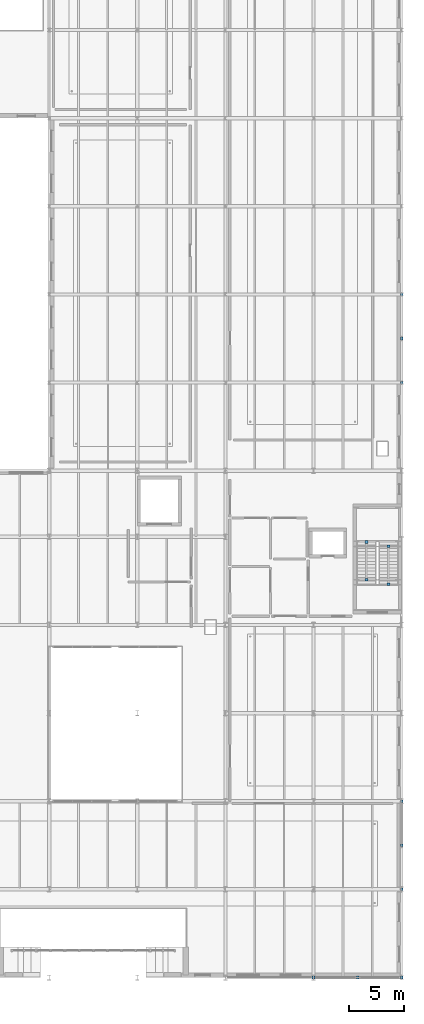
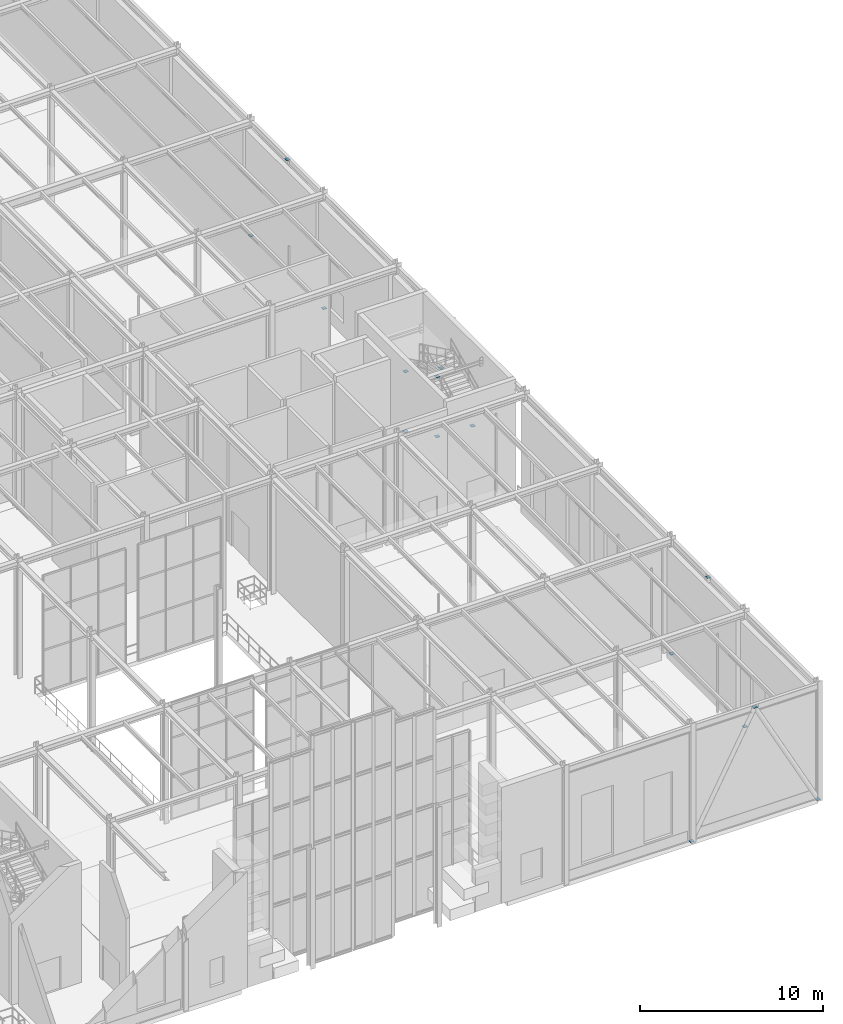
# One storey, part 123 of 138: 15 discrete accessories.
"""IFC4 building model written with IfcOpenShell, lengths in metres."""

from ifc_helpers import new_model, si_unit, direction, frame, origin, origin_2d, place, context, subcontext, project, spatial, rectangle, extrude, material, type_object, element, save


model = new_model("IFC4")

# Units and contexts
model_context = context("Model", 3, precision=1e-05, world=origin(), true_north=direction((0.0, 1.0)))
body_context = subcontext(model_context, "Body", "Model", "MODEL_VIEW")
ifc_project = project(units=[si_unit("LENGTHUNIT", "METRE"), si_unit("AREAUNIT", "SQUARE_METRE"), si_unit("VOLUMEUNIT", "CUBIC_METRE"), si_unit("PLANEANGLEUNIT", "RADIAN"), si_unit("MASSUNIT", "GRAM", prefix="KILO")], contexts=[model_context])

# Site, building, storey
site_placement = place(None, origin())
site = spatial("IfcSite", under=ifc_project, at=site_placement, CompositionType="ELEMENT")
building_placement = place(site_placement, origin())
building = spatial("IfcBuilding", under=site, at=building_placement, Name="Sundkrona Museum", CompositionType="ELEMENT")
storey_placement = place(building_placement, frame((0.0, 0.0, 9.60009765625)))
storey = spatial("IfcBuildingStorey", under=building, at=storey_placement, Name="L02", CompositionType="ELEMENT", Elevation=9.60009765625)

# Discrete accessories
ifc_material = material(Name="Stainless Steel EN 1.4404 Cleat", Category="steel")
discrete_accessory_type = type_object("IfcDiscreteAccessoryType", Name="BRK-FIN-01", PredefinedType="BRACKET", material=ifc_material)
for number, where, z_axis, x_axis, name in (
    (1, (160.0, 0.0, -0.012451171875), (0.0, 0.0, 1.0), (1.0, 0.0, 0.0), "Brace and Strut End Connection Plate BR-L02-004A-1"),
    (2, (164.0, 0.0, 7.52734375), (0.0, 0.0, 1.0), (1.0, 0.0, 0.0), "Brace and Strut End Connection Plate BR-L02-004A-2"),
    (3, (168.0, 0.0, -0.012451171875), (0.0, 0.0, 1.0), (1.0, 0.0, 0.0), "Brace and Strut End Connection Plate BR-L02-004B-1"),
    (4, (168.0, 8.0, -0.012451171875), (0.0, 0.0, 1.0), (1.0, 0.0, 0.0), "Brace and Strut End Connection Plate BR-L02-010A-1"),
    (5, (168.0, 12.0, 7.52734375), (0.0, 0.0, 1.0), (1.0, 0.0, 0.0), "Brace and Strut End Connection Plate BR-L02-010A-2"),
    (6, (168.0, 16.0, -0.012451171875), (0.0, 0.0, 1.0), (1.0, 0.0, 0.0), "Brace and Strut End Connection Plate BR-L02-010B-1"),
    (7, (168.0, 54.0, -0.012451171875), (0.0, 0.0, 1.0), (1.0, 0.0, 0.0), "Brace and Strut End Connection Plate BR-L02-028A-1"),
    (8, (168.0, 58.0, 7.507568359375), (0.0, 0.0, 1.0), (1.0, 0.0, 0.0), "Brace and Strut End Connection Plate BR-L02-028A-2"),
    (9, (168.0, 62.0, -0.012451171875), (0.0, 0.0, 1.0), (1.0, 0.0, 0.0), "Brace and Strut End Connection Plate BR-L02-028B-1"),
    (10, (164.800048828125, 39.534912109375, 1.66748046875), (0.0, 0.0, 1.0), (1.0, 0.0, 0.0), "Brace and Strut End Connection Plate RK-ST-ST-1-L02-2-1"),
    (11, (164.800048828125, 36.10009765625, 3.411376953125), (0.0, 0.0, 1.0), (1.0, 0.0, 0.0), "Brace and Strut End Connection Plate RK-ST-ST-1-L02-2-2"),
    (12, (166.800048828125, 35.699951171875, 3.66748046875), (0.0, 0.0, 1.0), (1.0, 0.0, 0.0), "Brace and Strut End Connection Plate RK-ST-ST-1-L02-3-1"),
    (13, (166.800048828125, 39.135009765625, 5.411376953125), (0.0, 0.0, 1.0), (1.0, 0.0, 0.0), "Brace and Strut End Connection Plate RK-ST-ST-1-L02-3-2"),
    (14, (164.800048828125, 39.534912109375, 5.66748046875), (0.0, 0.0, 1.0), (1.0, 0.0, 0.0), "Brace and Strut End Connection Plate RK-ST-ST-1-L02-4-1"),
    (15, (164.800048828125, 36.10009765625, 7.411376953125), (0.0, 0.0, 1.0), (1.0, 0.0, 0.0), "Brace and Strut End Connection Plate RK-ST-ST-1-L02-4-2"),
):
    element("IfcDiscreteAccessory", number, at=place(storey_placement, frame(where, z_axis=z_axis, x_axis=x_axis)), inside=storey, type_object=discrete_accessory_type, Name=name, PredefinedType="BRACKET", context=body_context, shape_type="SweptSolid", body=[
        extrude(rectangle(XDim=0.239990234375, YDim=0.239990234375, at=origin_2d()), origin(), (0.0, 0.0, 1.0), 0.02490234375),
    ])

save(model, "model.ifc")
